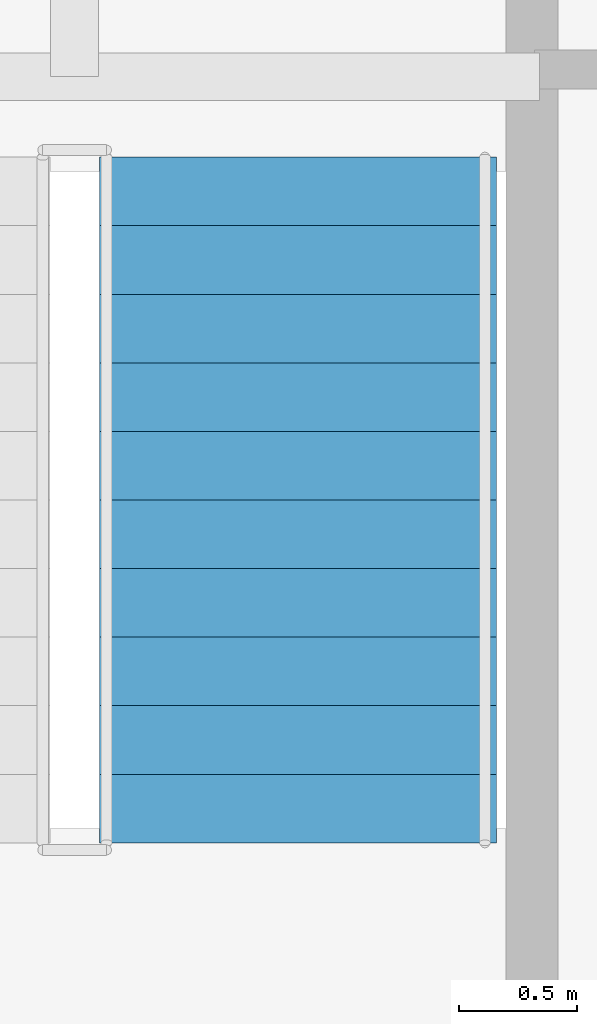
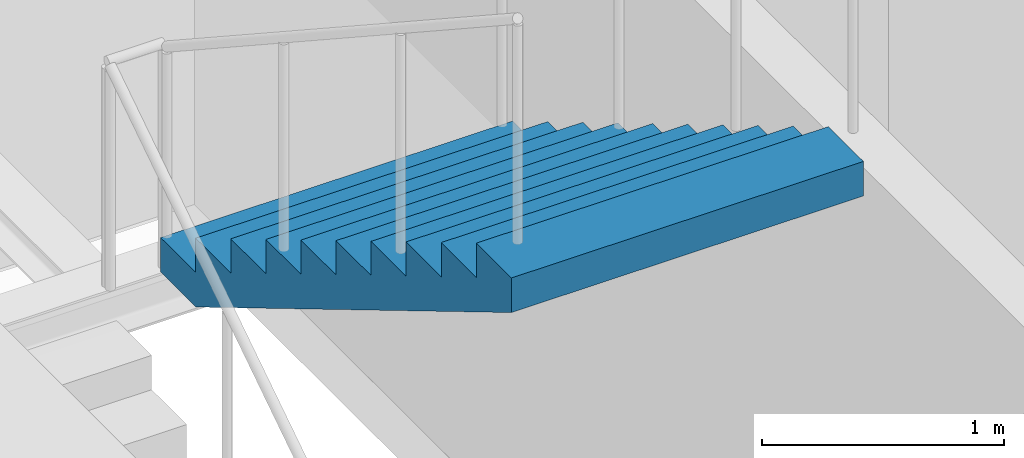
# One storey, part 8 of 16: 1 stair flight, 1 element without a shape of its own.
"""IFC4 building model written with IfcOpenShell, lengths in metres."""

from ifc_helpers import new_model, si_unit, direction, frame, origin, place, context, subcontext, project, spatial, polyline, outline, extrude, material, type_object, element, aggregate, save


model = new_model("IFC4")

# Units and contexts
model_context = context("Model", 3, precision=1e-05, world=origin(), true_north=direction((0.0, 1.0)))
body_context = subcontext(model_context, "Body", "Model", "MODEL_VIEW")
ifc_project = project(units=[si_unit("LENGTHUNIT", "METRE"), si_unit("AREAUNIT", "SQUARE_METRE"), si_unit("VOLUMEUNIT", "CUBIC_METRE"), si_unit("PLANEANGLEUNIT", "RADIAN"), si_unit("MASSUNIT", "GRAM", prefix="KILO")], contexts=[model_context])

# Site, building, storey
site_placement = place(None, origin())
site = spatial("IfcSite", under=ifc_project, at=site_placement, CompositionType="ELEMENT")
building_placement = place(site_placement, origin())
building = spatial("IfcBuilding", under=site, at=building_placement, Name="Norrvale University Quadrangle", CompositionType="ELEMENT")
storey_placement = place(building_placement, frame((0.0, 0.0, 112.800048828125)))
storey = spatial("IfcBuildingStorey", under=building, at=storey_placement, Name="L28", CompositionType="ELEMENT", Elevation=112.800048828125)

# Stair, stair flight
ifc_material = material(Name="Concrete C40/50", Category="concrete")
stair_type = type_object("IfcStairType", Name="Stair Tower Typ 3800", PredefinedType="TWO_STRAIGHT_RUN_STAIR", material=ifc_material)
stair_placement = place(storey_placement, origin())
stair = element("IfcStair", 1, at=stair_placement, inside=storey, type_object=stair_type, Name="Exit Stair ST-02 L28", PredefinedType="TWO_STRAIGHT_RUN_STAIR")
stair_flight_type = type_object("IfcStairFlightType", Name="Flight Typ 1500", PredefinedType="STRAIGHT", material=ifc_material)
stair_flight_placement = place(storey_placement, frame((5.320068359375, 44.949951171875, 1.89990234375), z_axis=(0.0, 0.0, 1.0), x_axis=(0.0, -1.0, 0.0)))
stair_flight = element("IfcStairFlight", 2, at=stair_flight_placement, type_object=stair_flight_type, Name="Exit Stair ST-02 L28 Upper Flight", NumberOfRisers=11, NumberOfTreads=10, PredefinedType="STRAIGHT", RiserHeight=0.172727, TreadLength=0.29, context=body_context, shape_type="SweptSolid", body=[
    extrude(outline(polyline([(0.0, 0.0), (0.0, 0.172607421875), (0.2900390625, 0.172607421875), (0.2900390625, 0.345458984375), (0.580078125, 0.345458984375), (0.580078125, 0.51806640625), (0.8701171875, 0.51806640625), (0.8701171875, 0.69091796875), (1.159912109375, 0.69091796875), (1.159912109375, 0.863525390625), (1.449951171875, 0.863525390625), (1.449951171875, 1.036376953125), (1.739990234375, 1.036376953125), (1.739990234375, 1.208984375), (2.030029296875, 1.208984375), (2.030029296875, 1.3818359375), (2.320068359375, 1.3818359375), (2.320068359375, 1.554443359375), (2.610107421875, 1.554443359375), (2.610107421875, 1.727294921875), (2.89990234375, 1.727294921875), (2.89990234375, 1.89990234375), (2.89990234375, 1.552734375), (0.29296875, 0.0), (0.0, 0.0)])), frame((0.0, 0.83984375, 0.0), z_axis=(0.0, -1.0, 0.0), x_axis=(1.0, 0.0, 0.0)), (0.0, 0.0, 1.0), 1.679931640625),
])
aggregate(stair, [stair_flight])

save(model, "model.ifc")
